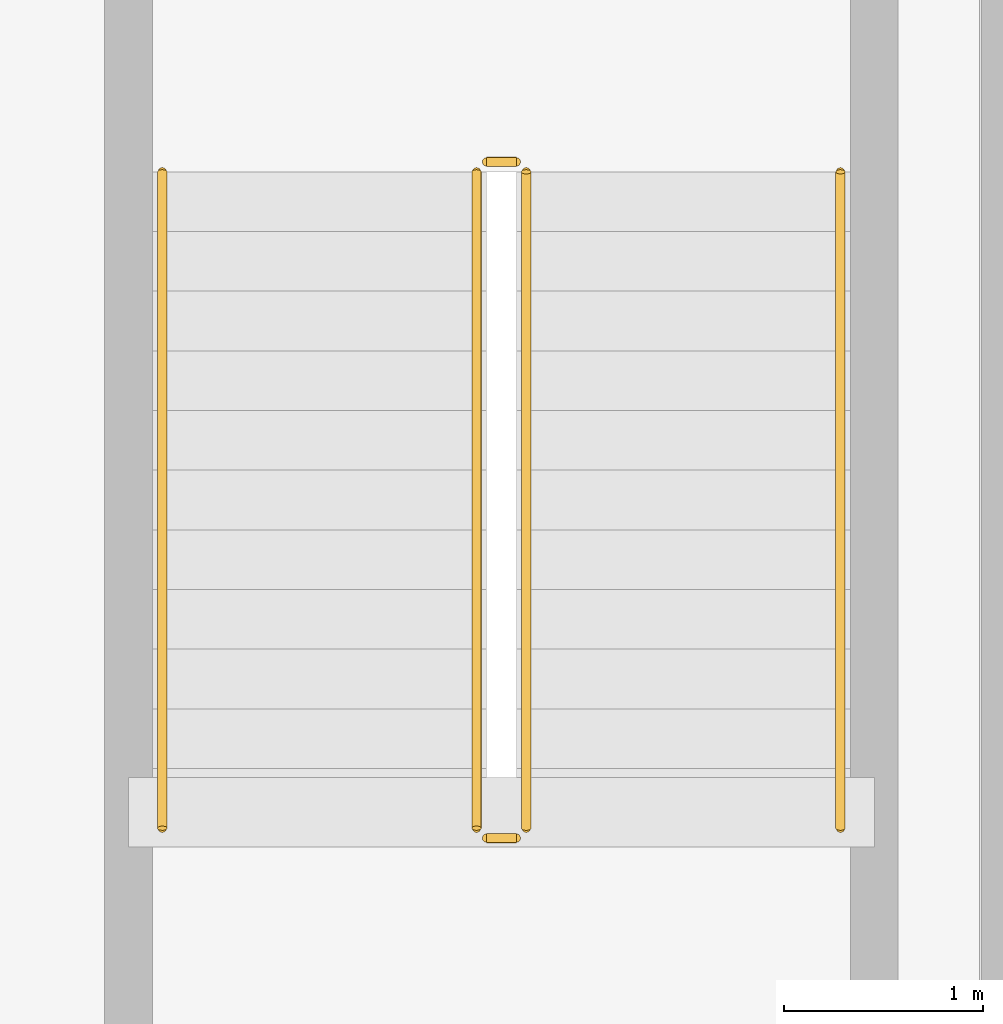
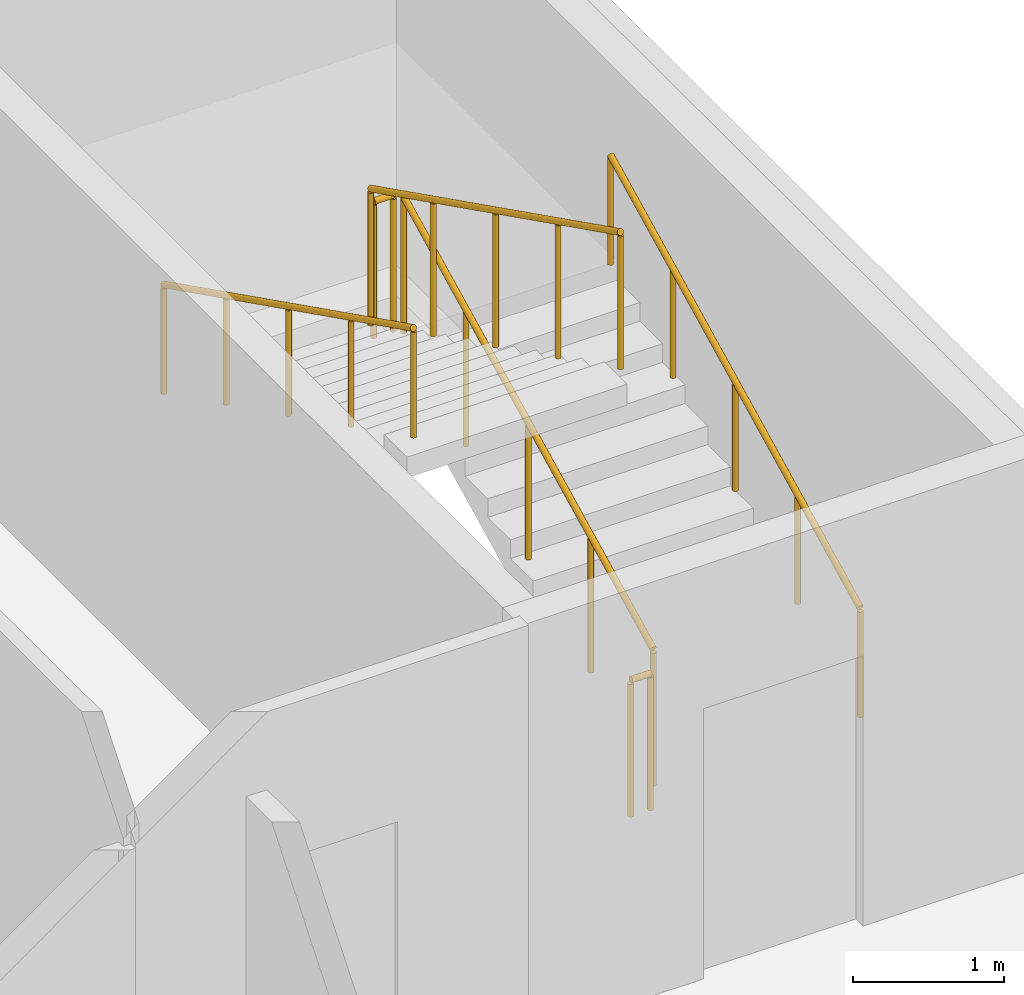
# One storey, part 19 of 19: 6 railings.
"""IFC4 building model written with IfcOpenShell, lengths in metres."""

from ifc_helpers import new_model, si_unit, direction, frame, origin, origin_2d, place, context, subcontext, project, spatial, circle, extrude, material, layer, layer_set, type_object, element, save


model = new_model("IFC4")

# Units and contexts
model_context = context("Model", 3, precision=1e-05, world=origin(), true_north=direction((0.0, 1.0)))
body_context = subcontext(model_context, "Body", "Model", "MODEL_VIEW")
ifc_project = project(units=[si_unit("LENGTHUNIT", "METRE"), si_unit("AREAUNIT", "SQUARE_METRE"), si_unit("VOLUMEUNIT", "CUBIC_METRE"), si_unit("PLANEANGLEUNIT", "RADIAN"), si_unit("MASSUNIT", "GRAM", prefix="KILO")], contexts=[model_context])

# Site, building, storey
site_placement = place(None, origin())
site = spatial("IfcSite", under=ifc_project, at=site_placement, CompositionType="ELEMENT")
building_placement = place(site_placement, origin())
building = spatial("IfcBuilding", under=site, at=building_placement, Name="Yukiwa Park Conservatory and Herbarium", CompositionType="ELEMENT")
storey_placement = place(building_placement, frame((0.0, 0.0, 46.800048828125)))
storey = spatial("IfcBuildingStorey", under=building, at=storey_placement, Name="L12", CompositionType="ELEMENT", Elevation=46.800048828125)

# Railings
ifc_material_1 = material(Name="Steel Q235B", Category="steel")
ifc_layer_1 = layer(ifc_material_1, 0.050048828125)
ifc_layer_set_1 = layer_set([ifc_layer_1], Name="Steel Q235B")
railing_type_1 = type_object("IfcRailingType", Name="RL-STAIR-GUARD-1120", PredefinedType="BALUSTRADE", material=ifc_layer_set_1)
railing_1_placement = place(storey_placement, frame((165.570068359375, 108.3798828125, 0.14990234375)))
element("IfcRailing", 1, at=railing_1_placement, inside=storey, type_object=railing_type_1, Name="L12 ST-T3 stair guard 1", PredefinedType="BALUSTRADE", context=body_context, shape_type="SweptSolid", body=[
    extrude(circle(Radius=0.02392578125, at=origin_2d()), frame((0.0, 0.0, 1.09619140625), z_axis=(0.0, 0.894413956696, 0.447240063129), x_axis=(-1.0, 0.0, 0.0)), (0.0, 0.0, 1.0), 3.689697265625),
    extrude(circle(Radius=0.02099609375, at=origin_2d()), origin(), (0.0, 0.0, 1.0), 1.072021484375),
    extrude(circle(Radius=0.02099609375, at=origin_2d()), frame((0.0, 0.824951171875, 0.41259765625)), (0.0, 0.0, 1.0), 1.072021484375),
    extrude(circle(Radius=0.02099609375, at=origin_2d()), frame((0.0, 1.64990234375, 0.8251953125)), (0.0, 0.0, 1.0), 1.072021484375),
    extrude(circle(Radius=0.02099609375, at=origin_2d()), frame((0.0, 2.47509765625, 1.237548828125)), (0.0, 0.0, 1.0), 1.072021484375),
    extrude(circle(Radius=0.02099609375, at=origin_2d()), frame((0.0, 3.300048828125, 1.650146484375)), (0.0, 0.0, 1.0), 1.072021484375),
])
railing_2_placement = place(storey_placement, frame((165.52001953125, 111.72998046875, 1.800048828125)))
element("IfcRailing", 2, at=railing_2_placement, inside=storey, type_object=railing_type_1, Name="L12 ST-T3 stair guard 2", PredefinedType="BALUSTRADE", context=body_context, shape_type="SweptSolid", body=[
    extrude(circle(Radius=0.02392578125, at=origin_2d()), frame((0.0, 0.0, 1.09619140625), z_axis=(-1.0, 0.0, 0.0), x_axis=(0.0, -1.0, 0.0)), (0.0, 0.0, 1.0), 0.14990234375),
    extrude(circle(Radius=0.02099609375, at=origin_2d()), origin(), (0.0, 0.0, 1.0), 1.072021484375),
    extrude(circle(Radius=0.02099609375, at=origin_2d()), frame((-0.14990234375, 0.0, 0.0)), (0.0, 0.0, 1.0), 1.072021484375),
])
railing_3_placement = place(storey_placement, frame((165.320068359375, 111.679931640625, 1.949951171875)))
element("IfcRailing", 3, at=railing_3_placement, inside=storey, type_object=railing_type_1, Name="L12 ST-T3 stair guard 3", PredefinedType="BALUSTRADE", context=body_context, shape_type="SweptSolid", body=[
    extrude(circle(Radius=0.02392578125, at=origin_2d()), frame((0.0, 0.0, 1.09619140625), z_axis=(0.0, -0.894440424912, 0.447187126696), x_axis=(1.0, 0.0, 0.0)), (0.0, 0.0, 1.0), 3.689453125),
    extrude(circle(Radius=0.02099609375, at=origin_2d()), origin(), (0.0, 0.0, 1.0), 1.072021484375),
    extrude(circle(Radius=0.02099609375, at=origin_2d()), frame((0.0, -0.824951171875, 0.41259765625)), (0.0, 0.0, 1.0), 1.072021484375),
    extrude(circle(Radius=0.02099609375, at=origin_2d()), frame((0.0, -1.64990234375, 0.824951171875)), (0.0, 0.0, 1.0), 1.072021484375),
    extrude(circle(Radius=0.02099609375, at=origin_2d()), frame((0.0, -2.47509765625, 1.2373046875)), (0.0, 0.0, 1.0), 1.072021484375),
    extrude(circle(Radius=0.02099609375, at=origin_2d()), frame((0.0, -3.300048828125, 1.64990234375)), (0.0, 0.0, 1.0), 1.072021484375),
])
railing_4_placement = place(storey_placement, frame((165.52001953125, 108.330078125, 0.0)))
element("IfcRailing", 4, at=railing_4_placement, inside=storey, type_object=railing_type_1, Name="L12 ST-T3 stair guard 4", PredefinedType="BALUSTRADE", context=body_context, shape_type="SweptSolid", body=[
    extrude(circle(Radius=0.02392578125, at=origin_2d()), frame((0.0, 0.0, 1.09619140625), z_axis=(-1.0, 0.0, 0.0), x_axis=(0.0, -1.0, 0.0)), (0.0, 0.0, 1.0), 0.14990234375),
    extrude(circle(Radius=0.02099609375, at=origin_2d()), origin(), (0.0, 0.0, 1.0), 1.072021484375),
    extrude(circle(Radius=0.02099609375, at=origin_2d()), frame((-0.14990234375, 0.0, 0.0)), (0.0, 0.0, 1.0), 1.072021484375),
])
ifc_material_2 = material(Name="Steel Q235B", Category="steel")
ifc_layer_2 = layer(ifc_material_2, 0.044921875)
ifc_layer_set_2 = layer_set([ifc_layer_2], Name="Steel Q235B")
railing_type_2 = type_object("IfcRailingType", Name="RL-STAIR-RAIL-900", PredefinedType="HANDRAIL", material=ifc_layer_set_2)
railing_5_placement = place(storey_placement, frame((167.14990234375, 108.3798828125, 0.14990234375)))
element("IfcRailing", 5, at=railing_5_placement, inside=storey, type_object=railing_type_2, Name="L12 ST-T3 stair handrail 1", PredefinedType="HANDRAIL", context=body_context, shape_type="SweptSolid", body=[
    extrude(circle(Radius=0.02392578125, at=origin_2d()), frame((0.0, 0.0, 0.8759765625), z_axis=(0.0, 0.894413956696, 0.447240063129), x_axis=(-1.0, 0.0, 0.0)), (0.0, 0.0, 1.0), 3.689697265625),
    extrude(circle(Radius=0.02099609375, at=origin_2d()), origin(), (0.0, 0.0, 1.0), 0.851806640625),
    extrude(circle(Radius=0.02099609375, at=origin_2d()), frame((0.0, 0.824951171875, 0.41259765625)), (0.0, 0.0, 1.0), 0.851806640625),
    extrude(circle(Radius=0.02099609375, at=origin_2d()), frame((0.0, 1.64990234375, 0.8251953125)), (0.0, 0.0, 1.0), 0.851806640625),
    extrude(circle(Radius=0.02099609375, at=origin_2d()), frame((0.0, 2.47509765625, 1.237548828125)), (0.0, 0.0, 1.0), 0.851806640625),
    extrude(circle(Radius=0.02099609375, at=origin_2d()), frame((0.0, 3.300048828125, 1.650146484375)), (0.0, 0.0, 1.0), 0.851806640625),
])
railing_6_placement = place(storey_placement, frame((163.739990234375, 111.679931640625, 1.949951171875)))
element("IfcRailing", 6, at=railing_6_placement, inside=storey, type_object=railing_type_2, Name="L12 ST-T3 stair handrail 2", PredefinedType="HANDRAIL", context=body_context, shape_type="SweptSolid", body=[
    extrude(circle(Radius=0.02392578125, at=origin_2d()), frame((0.0, 0.0, 0.8759765625), z_axis=(0.0, -0.894440424912, 0.447187126696), x_axis=(1.0, 0.0, 0.0)), (0.0, 0.0, 1.0), 3.689453125),
    extrude(circle(Radius=0.02099609375, at=origin_2d()), origin(), (0.0, 0.0, 1.0), 0.851806640625),
    extrude(circle(Radius=0.02099609375, at=origin_2d()), frame((0.0, -0.824951171875, 0.41259765625)), (0.0, 0.0, 1.0), 0.851806640625),
    extrude(circle(Radius=0.02099609375, at=origin_2d()), frame((0.0, -1.64990234375, 0.824951171875)), (0.0, 0.0, 1.0), 0.851806640625),
    extrude(circle(Radius=0.02099609375, at=origin_2d()), frame((0.0, -2.47509765625, 1.2373046875)), (0.0, 0.0, 1.0), 0.851806640625),
    extrude(circle(Radius=0.02099609375, at=origin_2d()), frame((0.0, -3.300048828125, 1.64990234375)), (0.0, 0.0, 1.0), 0.851806640625),
])

save(model, "model.ifc")
